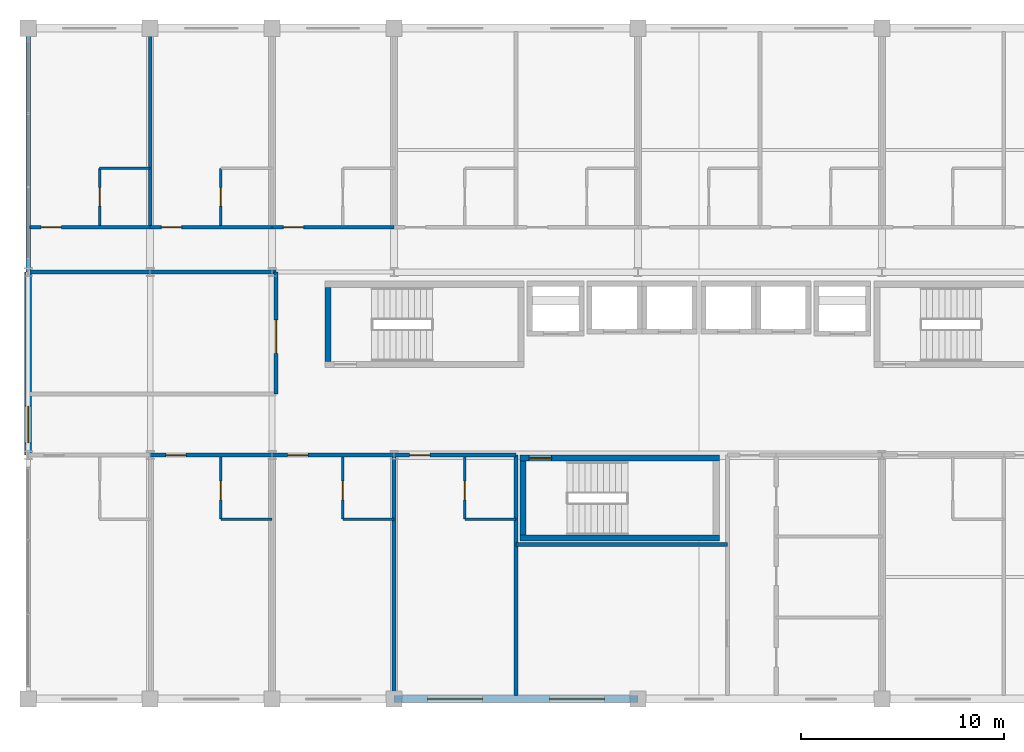
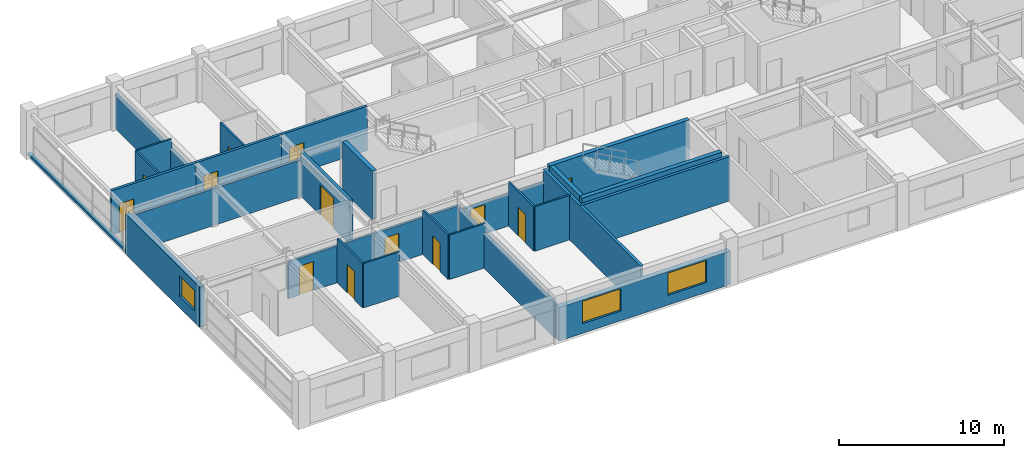
# One storey, part 21 of 27: 28 walls, 13 doors, 3 windows, 16 openings.
"""IFC4 building model written with IfcOpenShell, lengths in metres."""

from ifc_helpers import new_model, si_unit, direction, frame, frame_2d, origin, place, context, subcontext, project, spatial, rectangle, extrude, material, layer, layer_set, type_object, element, fill, save


model = new_model("IFC4")

# Units and contexts
model_context = context("Model", 3, precision=1e-05, world=origin(), true_north=direction((0.0, 1.0)))
body_context = subcontext(model_context, "Body", "Model", "MODEL_VIEW")
ifc_project = project(units=[si_unit("LENGTHUNIT", "METRE"), si_unit("AREAUNIT", "SQUARE_METRE"), si_unit("VOLUMEUNIT", "CUBIC_METRE"), si_unit("PLANEANGLEUNIT", "RADIAN"), si_unit("MASSUNIT", "GRAM", prefix="KILO")], contexts=[model_context])

# Site, building, storey
site_placement = place(None, origin())
site = spatial("IfcSite", under=ifc_project, at=site_placement, CompositionType="ELEMENT")
building_placement = place(site_placement, origin())
building = spatial("IfcBuilding", under=site, at=building_placement, Name="Kaldorvane Square Convention Centre", CompositionType="ELEMENT")
storey_placement = place(building_placement, frame((0.0, 0.0, 38.399993896484375)))
storey = spatial("IfcBuildingStorey", under=building, at=storey_placement, Name="L08", CompositionType="ELEMENT", Elevation=38.399993896484375)

# Wall, opening, door
ifc_material_1 = material(Name="Fire-Rated Gypsum Board on Acoustic Steel Studs", Category="steel")
ifc_layer_1 = layer(ifc_material_1, 0.125)
ifc_layer_set_1 = layer_set([ifc_layer_1], Name="Fire-Rated Gypsum Board on Acoustic Steel Studs")
wall_type_1 = type_object("IfcWallType", Name="WL-BATH-125", PredefinedType="PARTITIONING", material=ifc_layer_set_1)
wall_1_placement = place(storey_placement, frame((27.520004272460938, 107.28999328613281, 0.0), z_axis=(0.0, 0.0, 1.0), x_axis=(0.0, 1.0, 0.0)))
wall_1 = element("IfcWall", 1, at=wall_1_placement, inside=storey, type_object=wall_type_1, Name="En-Suite 801 West Wall", PredefinedType="PARTITIONING", context=body_context, shape_type="SweptSolid", body=[
    extrude(rectangle(XDim=2.8100128173828125, YDim=0.125, at=frame_2d((1.404998779296875, 0.0))), origin(), (0.0, 0.0, 1.0), 3.290008544921875),
])
opening_1_placement = place(wall_1_placement, frame((0.9499969482421875, 0.0, 0.0)))
opening_1 = element("IfcOpeningElement", 2, at=opening_1_placement, cuts=wall_1, Name="Opening ID-12", PredefinedType="OPENING", context=body_context, shape_type="SweptSolid", body=[
    extrude(rectangle(XDim=0.9199981689453125, YDim=2.100006103515625, at=frame_2d((0.459991455078125, 1.0500030517578125))), frame((0.0, 0.0774993896484375, 0.0), z_axis=(0.0, -1.0, 0.0), x_axis=(1.0, 0.0, 0.0)), (0.0, 0.0, 1.0), 0.154998779296875),
])
ifc_material_2 = material(Name="Architectural Solid-Core White Oak")
door_type_1 = type_object("IfcDoorType", Name="DR-BATH-0920X2100", OperationType="SINGLE_SWING_RIGHT", PredefinedType="DOOR", material=ifc_material_2)
door_1_placement = place(opening_1_placement, origin())
door_1 = element("IfcDoor", 3, at=door_1_placement, inside=storey, type_object=door_type_1, Name="En-Suite Bathroom 801 Door", OperationType="SINGLE_SWING_RIGHT", OverallHeight=2.100006103515625, OverallWidth=0.9199981689453125, PredefinedType="DOOR", context=body_context, shape_type="SweptSolid", body=[
    extrude(rectangle(XDim=0.9199981689453125, YDim=2.100006103515625, at=frame_2d((0.459991455078125, 1.0500030517578125))), frame((0.0, 0.024993896484375, 0.0), z_axis=(0.0, -1.0, 0.0), x_axis=(1.0, 0.0, 0.0)), (0.0, 0.0, 1.0), 0.0500030517578125),
])
fill(opening_1, door_1)

# Wall
wall_2_placement = place(storey_placement, frame((27.520004272460938, 110.10000610351562, 0.0), z_axis=(0.0, 0.0, 1.0), x_axis=(1.0, 0.0, 0.0)))
element("IfcWall", 4, at=wall_2_placement, inside=storey, type_object=wall_type_1, Name="En-Suite 801 North Wall", PredefinedType="PARTITIONING", context=body_context, shape_type="SweptSolid", body=[
    extrude(rectangle(XDim=2.4799957275390625, YDim=0.125, at=frame_2d((1.239990234375, 0.0))), origin(), (0.0, 0.0, 1.0), 3.290008544921875),
])

# Wall, opening, door
wall_3_placement = place(storey_placement, frame((33.47999572753906, 107.28999328613281, 0.0), z_axis=(0.0, 0.0, 1.0), x_axis=(0.0, 1.0, 0.0)))
wall_3 = element("IfcWall", 5, at=wall_3_placement, inside=storey, type_object=wall_type_1, Name="En-Suite 802 West Wall", PredefinedType="PARTITIONING", context=body_context, shape_type="SweptSolid", body=[
    extrude(rectangle(XDim=2.8100128173828125, YDim=0.125, at=frame_2d((1.404998779296875, 0.0))), origin(), (0.0, 0.0, 1.0), 3.290008544921875),
])
opening_2_placement = place(wall_3_placement, frame((0.9499969482421875, 0.0, 0.0)))
opening_2 = element("IfcOpeningElement", 6, at=opening_2_placement, cuts=wall_3, Name="Opening ID-12", PredefinedType="OPENING", context=body_context, shape_type="SweptSolid", body=[
    extrude(rectangle(XDim=0.9199981689453125, YDim=2.100006103515625, at=frame_2d((0.459991455078125, 1.0500030517578125))), frame((0.0, 0.0774993896484375, 0.0), z_axis=(0.0, -1.0, 0.0), x_axis=(1.0, 0.0, 0.0)), (0.0, 0.0, 1.0), 0.154998779296875),
])
door_2_placement = place(opening_2_placement, origin())
door_2 = element("IfcDoor", 7, at=door_2_placement, inside=storey, type_object=door_type_1, Name="En-Suite Bathroom 802 Door", OperationType="SINGLE_SWING_RIGHT", OverallHeight=2.100006103515625, OverallWidth=0.9199981689453125, PredefinedType="DOOR", context=body_context, shape_type="SweptSolid", body=[
    extrude(rectangle(XDim=0.9199981689453125, YDim=2.100006103515625, at=frame_2d((0.459991455078125, 1.0500030517578125))), frame((0.0, 0.024993896484375, 0.0), z_axis=(0.0, -1.0, 0.0), x_axis=(1.0, 0.0, 0.0)), (0.0, 0.0, 1.0), 0.0500030517578125),
])
fill(opening_2, door_2)

wall_4_placement = place(storey_placement, frame((33.47999572753906, 92.85000610351562, 0.0), z_axis=(0.0, 0.0, 1.0), x_axis=(0.0, 1.0, 0.0)))
wall_4 = element("IfcWall", 8, at=wall_4_placement, inside=storey, type_object=wall_type_1, Name="En-Suite 812 West Wall", PredefinedType="PARTITIONING", context=body_context, shape_type="SweptSolid", body=[
    extrude(rectangle(XDim=3.05999755859375, YDim=0.125, at=frame_2d((1.529998779296875, 0.0))), origin(), (0.0, 0.0, 1.0), 3.290008544921875),
])
opening_3_placement = place(wall_4_placement, frame((0.9499969482421875, 0.0, 0.0)))
opening_3 = element("IfcOpeningElement", 9, at=opening_3_placement, cuts=wall_4, Name="Opening ID-12", PredefinedType="OPENING", context=body_context, shape_type="SweptSolid", body=[
    extrude(rectangle(XDim=0.9199981689453125, YDim=2.100006103515625, at=frame_2d((0.459991455078125, 1.0500030517578125))), frame((0.0, 0.0774993896484375, 0.0), z_axis=(0.0, -1.0, 0.0), x_axis=(1.0, 0.0, 0.0)), (0.0, 0.0, 1.0), 0.154998779296875),
])
door_3_placement = place(opening_3_placement, origin())
door_3 = element("IfcDoor", 10, at=door_3_placement, inside=storey, type_object=door_type_1, Name="En-Suite Bathroom 812 Door", OperationType="SINGLE_SWING_RIGHT", OverallHeight=2.100006103515625, OverallWidth=0.9199981689453125, PredefinedType="DOOR", context=body_context, shape_type="SweptSolid", body=[
    extrude(rectangle(XDim=0.9199981689453125, YDim=2.100006103515625, at=frame_2d((0.459991455078125, 1.0500030517578125))), frame((0.0, 0.024993896484375, 0.0), z_axis=(0.0, -1.0, 0.0), x_axis=(1.0, 0.0, 0.0)), (0.0, 0.0, 1.0), 0.0500030517578125),
])
fill(opening_3, door_3)

# Wall
wall_5_placement = place(storey_placement, frame((33.47999572753906, 92.85000610351562, 0.0), z_axis=(0.0, 0.0, 1.0), x_axis=(1.0, 0.0, 0.0)))
element("IfcWall", 11, at=wall_5_placement, inside=storey, type_object=wall_type_1, Name="En-Suite 812 South Wall", PredefinedType="PARTITIONING", context=body_context, shape_type="SweptSolid", body=[
    extrude(rectangle(XDim=2.5200042724609375, YDim=0.125, at=frame_2d((1.260009765625, 0.0))), origin(), (0.0, 0.0, 1.0), 3.290008544921875),
])

# Wall, opening, door
wall_6_placement = place(storey_placement, frame((39.47999572753906, 92.85000610351562, 0.0), z_axis=(0.0, 0.0, 1.0), x_axis=(0.0, 1.0, 0.0)))
wall_6 = element("IfcWall", 12, at=wall_6_placement, inside=storey, type_object=wall_type_1, Name="En-Suite 813 West Wall", PredefinedType="PARTITIONING", context=body_context, shape_type="SweptSolid", body=[
    extrude(rectangle(XDim=3.05999755859375, YDim=0.125, at=frame_2d((1.529998779296875, 0.0))), origin(), (0.0, 0.0, 1.0), 3.290008544921875),
])
opening_4_placement = place(wall_6_placement, frame((0.9499969482421875, 0.0, 0.0)))
opening_4 = element("IfcOpeningElement", 13, at=opening_4_placement, cuts=wall_6, Name="Opening ID-12", PredefinedType="OPENING", context=body_context, shape_type="SweptSolid", body=[
    extrude(rectangle(XDim=0.9199981689453125, YDim=2.100006103515625, at=frame_2d((0.459991455078125, 1.0500030517578125))), frame((0.0, 0.0774993896484375, 0.0), z_axis=(0.0, -1.0, 0.0), x_axis=(1.0, 0.0, 0.0)), (0.0, 0.0, 1.0), 0.154998779296875),
])
door_4_placement = place(opening_4_placement, origin())
door_4 = element("IfcDoor", 14, at=door_4_placement, inside=storey, type_object=door_type_1, Name="En-Suite Bathroom 813 Door", OperationType="SINGLE_SWING_RIGHT", OverallHeight=2.100006103515625, OverallWidth=0.9199981689453125, PredefinedType="DOOR", context=body_context, shape_type="SweptSolid", body=[
    extrude(rectangle(XDim=0.9199981689453125, YDim=2.100006103515625, at=frame_2d((0.459991455078125, 1.0500030517578125))), frame((0.0, 0.024993896484375, 0.0), z_axis=(0.0, -1.0, 0.0), x_axis=(1.0, 0.0, 0.0)), (0.0, 0.0, 1.0), 0.0500030517578125),
])
fill(opening_4, door_4)

# Wall
wall_7_placement = place(storey_placement, frame((39.47999572753906, 92.85000610351562, 0.0), z_axis=(0.0, 0.0, 1.0), x_axis=(1.0, 0.0, 0.0)))
element("IfcWall", 15, at=wall_7_placement, inside=storey, type_object=wall_type_1, Name="En-Suite 813 South Wall", PredefinedType="PARTITIONING", context=body_context, shape_type="SweptSolid", body=[
    extrude(rectangle(XDim=2.5200042724609375, YDim=0.125, at=frame_2d((1.260009765625, 0.0))), origin(), (0.0, 0.0, 1.0), 3.290008544921875),
])

# Wall, opening, door
wall_8_placement = place(storey_placement, frame((45.47999572753906, 92.85000610351562, 0.0), z_axis=(0.0, 0.0, 1.0), x_axis=(0.0, 1.0, 0.0)))
wall_8 = element("IfcWall", 16, at=wall_8_placement, inside=storey, type_object=wall_type_1, Name="En-Suite 814 West Wall", PredefinedType="PARTITIONING", context=body_context, shape_type="SweptSolid", body=[
    extrude(rectangle(XDim=3.05999755859375, YDim=0.125, at=frame_2d((1.529998779296875, 0.0))), origin(), (0.0, 0.0, 1.0), 3.290008544921875),
])
opening_5_placement = place(wall_8_placement, frame((0.9499969482421875, 0.0, 0.0)))
opening_5 = element("IfcOpeningElement", 17, at=opening_5_placement, cuts=wall_8, Name="Opening ID-12", PredefinedType="OPENING", context=body_context, shape_type="SweptSolid", body=[
    extrude(rectangle(XDim=0.9199981689453125, YDim=2.100006103515625, at=frame_2d((0.459991455078125, 1.0500030517578125))), frame((0.0, 0.0774993896484375, 0.0), z_axis=(0.0, -1.0, 0.0), x_axis=(1.0, 0.0, 0.0)), (0.0, 0.0, 1.0), 0.154998779296875),
])
door_5_placement = place(opening_5_placement, origin())
door_5 = element("IfcDoor", 18, at=door_5_placement, inside=storey, type_object=door_type_1, Name="En-Suite Bathroom 814 Door", OperationType="SINGLE_SWING_RIGHT", OverallHeight=2.100006103515625, OverallWidth=0.9199981689453125, PredefinedType="DOOR", context=body_context, shape_type="SweptSolid", body=[
    extrude(rectangle(XDim=0.9199981689453125, YDim=2.100006103515625, at=frame_2d((0.459991455078125, 1.0500030517578125))), frame((0.0, 0.024993896484375, 0.0), z_axis=(0.0, -1.0, 0.0), x_axis=(1.0, 0.0, 0.0)), (0.0, 0.0, 1.0), 0.0500030517578125),
])
fill(opening_5, door_5)

# Walls
wall_9_placement = place(storey_placement, frame((45.47999572753906, 92.85000610351562, 0.0), z_axis=(0.0, 0.0, 1.0), x_axis=(1.0, 0.0, 0.0)))
element("IfcWall", 19, at=wall_9_placement, inside=storey, type_object=wall_type_1, Name="En-Suite 814 South Wall", PredefinedType="PARTITIONING", context=body_context, shape_type="SweptSolid", body=[
    extrude(rectangle(XDim=2.5200042724609375, YDim=0.125, at=frame_2d((1.260009765625, 0.0))), origin(), (0.0, 0.0, 1.0), 3.290008544921875),
])
ifc_layer_2 = layer(ifc_material_1, 0.1999969482421875)
ifc_layer_set_2 = layer_set([ifc_layer_2], Name="Fire-Rated Gypsum Board on Acoustic Steel Studs")
wall_type_2 = type_object("IfcWallType", Name="WL-CORR-200", PredefinedType="PARTITIONING", material=ifc_layer_set_2)
wall_10_placement = place(storey_placement, frame((48.0, 91.60000610351562, 0.0), z_axis=(0.0, 0.0, 1.0), x_axis=(1.0, 0.0, 0.0)))
element("IfcWall", 20, at=wall_10_placement, inside=storey, type_object=wall_type_2, Name="Housekeeping North Wall (L08)", PredefinedType="PARTITIONING", context=body_context, shape_type="SweptSolid", body=[
    extrude(rectangle(XDim=10.399993896484375, YDim=0.1999969482421875, at=frame_2d((5.1999969482421875, 0.0))), origin(), (0.0, 0.0, 1.0), 3.290008544921875),
])
wall_11_placement = place(storey_placement, frame((48.0, 84.17500305175781, 0.0), z_axis=(0.0, 0.0, 1.0), x_axis=(0.0, 1.0, 0.0)))
element("IfcWall", 21, at=wall_11_placement, inside=storey, type_object=wall_type_2, Name="Service Block West Wall (L08)", PredefinedType="PARTITIONING", context=body_context, shape_type="SweptSolid", body=[
    extrude(rectangle(XDim=11.824996948242188, YDim=0.1999969482421875, at=frame_2d((5.912506103515625, 0.0))), origin(), (0.0, 0.0, 1.0), 3.290008544921875),
])

# Wall, opening, door
wall_12_placement = place(storey_placement, frame((36.19999694824219, 99.0, 0.0), z_axis=(0.0, 0.0, 1.0), x_axis=(0.0, 1.0, 0.0)))
wall_12 = element("IfcWall", 22, at=wall_12_placement, inside=storey, type_object=wall_type_2, Name="West Sunset Sitting Alcove (L08) E Wall", PredefinedType="PARTITIONING", context=body_context, shape_type="SweptSolid", body=[
    extrude(rectangle(XDim=6.0, YDim=0.1999969482421875, at=frame_2d((3.0, 0.0))), origin(), (0.0, 0.0, 1.0), 3.290008544921875),
])
opening_6_placement = place(wall_12_placement, frame((2.0, 0.0, 0.0)))
opening_6 = element("IfcOpeningElement", 23, at=opening_6_placement, cuts=wall_12, Name="Opening ID-16", PredefinedType="OPENING", context=body_context, shape_type="SweptSolid", body=[
    extrude(rectangle(XDim=1.649993896484375, YDim=2.25, at=frame_2d((0.8249969482421875, 1.125))), frame((0.0, 0.114990234375, 0.0), z_axis=(0.0, -1.0, 0.0), x_axis=(1.0, 0.0, 0.0)), (0.0, 0.0, 1.0), 0.2299957275390625),
])
ifc_material_3 = material(Name="Acoustic Laminated Glass in Aluminum Frame", Category="aluminium")
door_type_2 = type_object("IfcDoorType", Name="DR-GL-1650X2250", OperationType="DOUBLE_DOOR_SINGLE_SWING", PredefinedType="DOOR", material=ifc_material_3)
door_6_placement = place(opening_6_placement, origin())
door_6 = element("IfcDoor", 24, at=door_6_placement, inside=storey, type_object=door_type_2, Name="West Sunset Sitting Alcove (L08) Door 1", OperationType="DOUBLE_DOOR_SINGLE_SWING", OverallHeight=2.25, OverallWidth=1.649993896484375, PredefinedType="DOOR", context=body_context, shape_type="SweptSolid", body=[
    extrude(rectangle(XDim=1.649993896484375, YDim=2.25, at=frame_2d((0.8249969482421875, 1.125))), frame((0.0, 0.024993896484375, 0.0), z_axis=(0.0, -1.0, 0.0), x_axis=(1.0, 0.0, 0.0)), (0.0, 0.0, 1.0), 0.0500030517578125),
])
fill(opening_6, door_6)

# Wall
wall_13_placement = place(storey_placement, frame((36.19999694824219, 105.0, 0.0), z_axis=(0.0, 0.0, 1.0), x_axis=(-1.0, 0.0, 0.0)))
element("IfcWall", 25, at=wall_13_placement, inside=storey, type_object=wall_type_2, Name="West Sunset Sitting Alcove (L08) N Wall", PredefinedType="PARTITIONING", context=body_context, shape_type="SweptSolid", body=[
    extrude(rectangle(XDim=12.114990234375, YDim=0.1999969482421875, at=frame_2d((6.0574951171875, 0.0))), origin(), (0.0, 0.0, 1.0), 2.7360076904296875),
])

# Wall, openings, windows
ifc_material_4 = material(Name="Concrete f'c = 42 MPa (Normalweight)", Category="concrete")
ifc_layer_3 = layer(ifc_material_4, 0.350006103515625)
ifc_layer_set_3 = layer_set([ifc_layer_3], Name="Concrete f'c = 42 MPa (Normalweight)")
wall_type_3 = type_object("IfcWallType", Name="WL-EXT-350", PredefinedType="STANDARD", material=ifc_layer_set_3)
wall_14_placement = place(storey_placement, frame((42.0, 84.0, 0.0), z_axis=(0.0, 0.0, 1.0), x_axis=(1.0, 0.0, 0.0)))
wall_14 = element("IfcWall", 26, at=wall_14_placement, inside=storey, type_object=wall_type_3, Name="Hotel S Brutalist Facade Wall (L08)", PredefinedType="STANDARD", context=body_context, shape_type="SweptSolid", body=[
    extrude(rectangle(XDim=12.0, YDim=0.350006103515625, at=frame_2d((6.0, 0.0))), origin(), (0.0, 0.0, 1.0), 2.4860076904296875),
])
opening_7_placement = place(wall_14_placement, frame((1.649993896484375, 0.0, 0.720001220703125)))
opening_7 = element("IfcOpeningElement", 27, at=opening_7_placement, cuts=wall_14, Name="Opening W-03", PredefinedType="OPENING", context=body_context, shape_type="SweptSolid", body=[
    extrude(rectangle(XDim=2.6999969482421875, YDim=1.649993896484375, at=frame_2d((1.350006103515625, 0.8249969482421875))), frame((0.0, 0.19000244140625, 0.0), z_axis=(0.0, -1.0, 0.0), x_axis=(1.0, 0.0, 0.0)), (0.0, 0.0, 1.0), 0.3800048828125),
])
opening_8_placement = place(wall_14_placement, frame((7.649993896484375, 0.0, 0.720001220703125)))
opening_8 = element("IfcOpeningElement", 28, at=opening_8_placement, cuts=wall_14, Name="Opening W-03", PredefinedType="OPENING", context=body_context, shape_type="SweptSolid", body=[
    extrude(rectangle(XDim=2.6999969482421875, YDim=1.649993896484375, at=frame_2d((1.350006103515625, 0.8249969482421875))), frame((0.0, 0.19000244140625, 0.0), z_axis=(0.0, -1.0, 0.0), x_axis=(1.0, 0.0, 0.0)), (0.0, 0.0, 1.0), 0.3800048828125),
])
ifc_material_5 = material(Name="Anodized Aluminum and Low-E Insulated Glazing", Category="aluminium")
window_type_1 = type_object("IfcWindowType", Name="WN-HTL-2700X1650", PartitioningType="TRIPLE_PANEL_VERTICAL", PredefinedType="WINDOW", material=ifc_material_5)
window_1_placement = place(opening_7_placement, origin())
window_1 = element("IfcWindow", 29, at=window_1_placement, inside=storey, type_object=window_type_1, Name="Hotel S Window (L08)", OverallHeight=1.649993896484375, OverallWidth=2.6999969482421875, PartitioningType="TRIPLE_PANEL_VERTICAL", PredefinedType="WINDOW", context=body_context, shape_type="SweptSolid", body=[
    extrude(rectangle(XDim=2.6999969482421875, YDim=1.649993896484375, at=frame_2d((1.350006103515625, 0.8249969482421875))), frame((0.0, 0.029998779296875, 0.0), z_axis=(0.0, -1.0, 0.0), x_axis=(1.0, 0.0, 0.0)), (0.0, 0.0, 1.0), 0.05999755859375),
])
fill(opening_7, window_1)
window_2_placement = place(opening_8_placement, origin())
window_2 = element("IfcWindow", 30, at=window_2_placement, inside=storey, type_object=window_type_1, Name="Hotel S Window (L08)", OverallHeight=1.649993896484375, OverallWidth=2.6999969482421875, PartitioningType="TRIPLE_PANEL_VERTICAL", PredefinedType="WINDOW", context=body_context, shape_type="SweptSolid", body=[
    extrude(rectangle(XDim=2.6999969482421875, YDim=1.649993896484375, at=frame_2d((1.350006103515625, 0.8249969482421875))), frame((0.0, 0.029998779296875, 0.0), z_axis=(0.0, -1.0, 0.0), x_axis=(1.0, 0.0, 0.0)), (0.0, 0.0, 1.0), 0.05999755859375),
])
fill(opening_8, window_2)

# Wall, opening, window
wall_15_placement = place(storey_placement, frame((24.0, 105.0, 0.0), z_axis=(0.0, 0.0, 1.0), x_axis=(0.0, -1.0, 0.0)))
wall_15 = element("IfcWall", 31, at=wall_15_placement, inside=storey, type_object=wall_type_3, Name="Hotel W End Wall (L08)", PredefinedType="STANDARD", context=body_context, shape_type="SweptSolid", body=[
    extrude(rectangle(XDim=9.0, YDim=0.350006103515625, at=frame_2d((4.5, 0.0))), origin(), (0.0, 0.0, 1.0), 2.9810028076171875),
])
opening_9_placement = place(wall_15_placement, frame((6.600006103515625, 0.0, 0.850006103515625)))
opening_9 = element("IfcOpeningElement", 32, at=opening_9_placement, cuts=wall_15, Name="Opening W-11", PredefinedType="OPENING", context=body_context, shape_type="SweptSolid", body=[
    extrude(rectangle(XDim=1.8000030517578125, YDim=1.5, at=frame_2d((0.899993896484375, 0.75))), frame((0.0, 0.19000244140625, 0.0), z_axis=(0.0, -1.0, 0.0), x_axis=(1.0, 0.0, 0.0)), (0.0, 0.0, 1.0), 0.3800048828125),
])
window_type_2 = type_object("IfcWindowType", Name="WN-HTL-1800X1500", PartitioningType="SINGLE_PANEL", PredefinedType="WINDOW", material=ifc_material_5)
window_3_placement = place(opening_9_placement, origin())
window_3 = element("IfcWindow", 33, at=window_3_placement, inside=storey, type_object=window_type_2, Name="Hotel End Window W (L08)", OverallHeight=1.5, OverallWidth=1.8000030517578125, PartitioningType="SINGLE_PANEL", PredefinedType="WINDOW", context=body_context, shape_type="SweptSolid", body=[
    extrude(rectangle(XDim=1.8000030517578125, YDim=1.5, at=frame_2d((0.899993896484375, 0.75))), frame((0.0, 0.029998779296875, 0.0), z_axis=(0.0, -1.0, 0.0), x_axis=(1.0, 0.0, 0.0)), (0.0, 0.0, 1.0), 0.05999755859375),
])
fill(opening_9, window_3)

# Walls
ifc_material_6 = material(Name="Concrete f'c = 35 MPa (Normalweight)", Category="concrete")
ifc_layer_4 = layer(ifc_material_6, 0.220001220703125)
ifc_layer_set_4 = layer_set([ifc_layer_4], Name="Concrete f'c = 35 MPa (Normalweight)")
wall_type_4 = type_object("IfcWallType", Name="WL-PAR-220", PredefinedType="PARAPET", material=ifc_layer_set_4)
wall_16_placement = place(storey_placement, frame((24.0, 117.0, 0.0), z_axis=(0.0, 0.0, 1.0), x_axis=(0.0, -1.0, 0.0)))
element("IfcWall", 34, at=wall_16_placement, inside=storey, type_object=wall_type_4, Name="Hotel End Curtain-Wall Sill (L08)", PredefinedType="PARAPET", context=body_context, shape_type="SweptSolid", body=[
    extrude(rectangle(XDim=12.0, YDim=0.220001220703125, at=frame_2d((6.0, 0.0))), origin(), (0.0, 0.0, 1.0), 0.20001220703125),
])
ifc_material_7 = material(Name="Concrete f'c = 55 MPa (Normalweight)", Category="concrete")
ifc_layer_5 = layer(ifc_material_7, 0.3000030517578125)
ifc_layer_set_5 = layer_set([ifc_layer_5], Name="Concrete f'c = 55 MPa (Normalweight)")
wall_type_5 = type_object("IfcWallType", Name="WL-SHAFT-300", PredefinedType="SHEAR", material=ifc_layer_set_5)
wall_17_placement = place(storey_placement, frame((38.75, 104.25, 0.0), z_axis=(0.0, 0.0, 1.0), x_axis=(0.0, -1.0, 0.0)))
element("IfcWall", 35, at=wall_17_placement, inside=storey, type_object=wall_type_5, Name="Core Enclosure Wall stair:ST-T1-W (L08)", PredefinedType="SHEAR", context=body_context, shape_type="SweptSolid", body=[
    extrude(rectangle(XDim=3.6399993896484375, YDim=0.3000030517578125, at=frame_2d((1.82000732421875, 0.0))), origin(), (0.0, 0.0, 1.0), 3.600006103515625),
])
wall_18_placement = place(storey_placement, frame((48.19999694824219, 91.91000366210938, 0.0), z_axis=(0.0, 0.0, 1.0), x_axis=(1.0, 0.0, 0.0)))
element("IfcWall", 36, at=wall_18_placement, inside=storey, type_object=wall_type_5, Name="Core Enclosure Wall stair:ST-T3-S (L08)", PredefinedType="SHEAR", context=body_context, shape_type="SweptSolid", body=[
    extrude(rectangle(XDim=9.800003051757812, YDim=0.3000030517578125, at=frame_2d((4.899993896484375, 0.0))), origin(), (0.0, 0.0, 1.0), 3.600006103515625),
])

# Wall, opening, door
wall_19_placement = place(storey_placement, frame((58.0, 95.85000610351562, 0.0), z_axis=(0.0, 0.0, 1.0), x_axis=(-1.0, 0.0, 0.0)))
wall_19 = element("IfcWall", 37, at=wall_19_placement, inside=storey, type_object=wall_type_5, Name="Core Enclosure Wall stair:ST-T3-N (L08)", PredefinedType="SHEAR", context=body_context, shape_type="SweptSolid", body=[
    extrude(rectangle(XDim=9.800003051757812, YDim=0.3000030517578125, at=frame_2d((4.899993896484375, 0.0))), origin(), (0.0, 0.0, 1.0), 3.600006103515625),
])
opening_10_placement = place(wall_19_placement, frame((8.25, 0.0, 0.0)))
opening_10 = element("IfcOpeningElement", 38, at=opening_10_placement, cuts=wall_19, Name="Opening FD90-S1", PredefinedType="OPENING", context=body_context, shape_type="SweptSolid", body=[
    extrude(rectangle(XDim=1.100006103515625, YDim=2.1999969482421875, at=frame_2d((0.5500030517578125, 1.100006103515625))), frame((0.0, 0.165008544921875, 0.0), z_axis=(0.0, -1.0, 0.0), x_axis=(1.0, 0.0, 0.0)), (0.0, 0.0, 1.0), 0.3300018310546875),
])
ifc_material_8 = material(Name="Fire-Rated Hollow Metal Steel", Category="steel")
door_type_3 = type_object("IfcDoorType", Name="DR-STAIR-1100", OperationType="SINGLE_SWING_RIGHT", PredefinedType="DOOR", material=ifc_material_8)
door_7_placement = place(opening_10_placement, origin())
door_7 = element("IfcDoor", 39, at=door_7_placement, inside=storey, type_object=door_type_3, Name="Tower Exit Stair T3 Fire Door (L08)", OperationType="SINGLE_SWING_RIGHT", OverallHeight=2.1999969482421875, OverallWidth=1.100006103515625, PredefinedType="DOOR", context=body_context, shape_type="SweptSolid", body=[
    extrude(rectangle(XDim=1.100006103515625, YDim=2.1999969482421875, at=frame_2d((0.5500030517578125, 1.100006103515625))), frame((0.0, 0.024993896484375, 0.0), z_axis=(0.0, -1.0, 0.0), x_axis=(1.0, 0.0, 0.0)), (0.0, 0.0, 1.0), 0.0500030517578125),
])
fill(opening_10, door_7)

# Wall
wall_20_placement = place(storey_placement, frame((48.350006103515625, 95.69999694824219, 0.0), z_axis=(0.0, 0.0, 1.0), x_axis=(0.0, -1.0, 0.0)))
element("IfcWall", 40, at=wall_20_placement, inside=storey, type_object=wall_type_5, Name="Core Enclosure Wall stair:ST-T3-W (L08)", PredefinedType="SHEAR", context=body_context, shape_type="SweptSolid", body=[
    extrude(rectangle(XDim=3.6399993896484375, YDim=0.3000030517578125, at=frame_2d((1.82000732421875, 0.0))), origin(), (0.0, 0.0, 1.0), 3.600006103515625),
])

# Wall, opening, door
ifc_layer_6 = layer(ifc_material_1, 0.17999267578125)
ifc_layer_set_6 = layer_set([ifc_layer_6], Name="Fire-Rated Gypsum Board on Acoustic Steel Studs")
wall_type_6 = type_object("IfcWallType", Name="WL-UNIT-180", PredefinedType="PARTITIONING", material=ifc_layer_set_6)
wall_21_placement = place(storey_placement, frame((24.085006713867188, 107.19999694824219, 0.0), z_axis=(0.0, 0.0, 1.0), x_axis=(1.0, 0.0, 0.0)))
wall_21 = element("IfcWall", 41, at=wall_21_placement, inside=storey, type_object=wall_type_6, Name="Hotel Guest Room 801 Corridor Wall", PredefinedType="PARTITIONING", context=body_context, shape_type="SweptSolid", body=[
    extrude(rectangle(XDim=5.9149932861328125, YDim=0.17999267578125, at=frame_2d((2.957489013671875, 0.0))), origin(), (0.0, 0.0, 1.0), 3.290008544921875),
])
opening_11_placement = place(wall_21_placement, frame((0.5500030517578125, 0.0, 0.0)))
opening_11 = element("IfcOpeningElement", 42, at=opening_11_placement, cuts=wall_21, Name="Opening ID-10", PredefinedType="OPENING", context=body_context, shape_type="SweptSolid", body=[
    extrude(rectangle(XDim=1.0, YDim=2.149993896484375, at=frame_2d((0.5, 1.0749969482421875))), frame((0.0, 0.1049957275390625, 0.0), z_axis=(0.0, -1.0, 0.0), x_axis=(1.0, 0.0, 0.0)), (0.0, 0.0, 1.0), 0.209991455078125),
])
door_type_4 = type_object("IfcDoorType", Name="DR-GUEST-1000X2150", OperationType="SINGLE_SWING_LEFT", PredefinedType="DOOR", material=ifc_material_2)
door_8_placement = place(opening_11_placement, origin())
door_8 = element("IfcDoor", 43, at=door_8_placement, inside=storey, type_object=door_type_4, Name="Hotel Guest Room 801 Entry Door", OperationType="SINGLE_SWING_LEFT", OverallHeight=2.149993896484375, OverallWidth=1.0, PredefinedType="DOOR", context=body_context, shape_type="SweptSolid", body=[
    extrude(rectangle(XDim=1.0, YDim=2.149993896484375, at=frame_2d((0.5, 1.0749969482421875))), frame((0.0, 0.024993896484375, 0.0), z_axis=(0.0, -1.0, 0.0), x_axis=(1.0, 0.0, 0.0)), (0.0, 0.0, 1.0), 0.0500030517578125),
])
fill(opening_11, door_8)

# Wall
wall_22_placement = place(storey_placement, frame((30.0, 107.19999694824219, 0.0), z_axis=(0.0, 0.0, 1.0), x_axis=(0.0, 1.0, 0.0)))
element("IfcWall", 44, at=wall_22_placement, inside=storey, type_object=wall_type_6, Name="Guestroom Demising Wall 801", PredefinedType="PARTITIONING", context=body_context, shape_type="SweptSolid", body=[
    extrude(rectangle(XDim=9.625, YDim=0.17999267578125, at=frame_2d((4.8125, 0.0))), origin(), (0.0, 0.0, 1.0), 2.5900115966796875),
])

# Wall, opening, door
wall_23_placement = place(storey_placement, frame((30.0, 107.19999694824219, 0.0), z_axis=(0.0, 0.0, 1.0), x_axis=(1.0, 0.0, 0.0)))
wall_23 = element("IfcWall", 45, at=wall_23_placement, inside=storey, type_object=wall_type_6, Name="Hotel Guest Room 802 Corridor Wall", PredefinedType="PARTITIONING", context=body_context, shape_type="SweptSolid", body=[
    extrude(rectangle(XDim=6.0, YDim=0.17999267578125, at=frame_2d((3.0, 0.0))), origin(), (0.0, 0.0, 1.0), 3.290008544921875),
])
opening_12_placement = place(wall_23_placement, frame((0.5500030517578125, 0.0, 0.0)))
opening_12 = element("IfcOpeningElement", 46, at=opening_12_placement, cuts=wall_23, Name="Opening ID-10", PredefinedType="OPENING", context=body_context, shape_type="SweptSolid", body=[
    extrude(rectangle(XDim=1.0, YDim=2.149993896484375, at=frame_2d((0.5, 1.0749969482421875))), frame((0.0, 0.1049957275390625, 0.0), z_axis=(0.0, -1.0, 0.0), x_axis=(1.0, 0.0, 0.0)), (0.0, 0.0, 1.0), 0.209991455078125),
])
door_9_placement = place(opening_12_placement, origin())
door_9 = element("IfcDoor", 47, at=door_9_placement, inside=storey, type_object=door_type_4, Name="Hotel Guest Room 802 Entry Door", OperationType="SINGLE_SWING_LEFT", OverallHeight=2.149993896484375, OverallWidth=1.0, PredefinedType="DOOR", context=body_context, shape_type="SweptSolid", body=[
    extrude(rectangle(XDim=1.0, YDim=2.149993896484375, at=frame_2d((0.5, 1.0749969482421875))), frame((0.0, 0.024993896484375, 0.0), z_axis=(0.0, -1.0, 0.0), x_axis=(1.0, 0.0, 0.0)), (0.0, 0.0, 1.0), 0.0500030517578125),
])
fill(opening_12, door_9)

wall_24_placement = place(storey_placement, frame((36.0, 107.19999694824219, 0.0), z_axis=(0.0, 0.0, 1.0), x_axis=(1.0, 0.0, 0.0)))
wall_24 = element("IfcWall", 48, at=wall_24_placement, inside=storey, type_object=wall_type_6, Name="Hotel Guest Room 803 Corridor Wall", PredefinedType="PARTITIONING", context=body_context, shape_type="SweptSolid", body=[
    extrude(rectangle(XDim=6.0, YDim=0.17999267578125, at=frame_2d((3.0, 0.0))), origin(), (0.0, 0.0, 1.0), 3.290008544921875),
])
opening_13_placement = place(wall_24_placement, frame((0.5500030517578125, 0.0, 0.0)))
opening_13 = element("IfcOpeningElement", 49, at=opening_13_placement, cuts=wall_24, Name="Opening ID-10", PredefinedType="OPENING", context=body_context, shape_type="SweptSolid", body=[
    extrude(rectangle(XDim=1.0, YDim=2.149993896484375, at=frame_2d((0.5, 1.0749969482421875))), frame((0.0, 0.1049957275390625, 0.0), z_axis=(0.0, -1.0, 0.0), x_axis=(1.0, 0.0, 0.0)), (0.0, 0.0, 1.0), 0.209991455078125),
])
door_10_placement = place(opening_13_placement, origin())
door_10 = element("IfcDoor", 50, at=door_10_placement, inside=storey, type_object=door_type_4, Name="Hotel Guest Room 803 Entry Door", OperationType="SINGLE_SWING_LEFT", OverallHeight=2.149993896484375, OverallWidth=1.0, PredefinedType="DOOR", context=body_context, shape_type="SweptSolid", body=[
    extrude(rectangle(XDim=1.0, YDim=2.149993896484375, at=frame_2d((0.5, 1.0749969482421875))), frame((0.0, 0.024993896484375, 0.0), z_axis=(0.0, -1.0, 0.0), x_axis=(1.0, 0.0, 0.0)), (0.0, 0.0, 1.0), 0.0500030517578125),
])
fill(opening_13, door_10)

wall_25_placement = place(storey_placement, frame((30.0, 96.0, 0.0), z_axis=(0.0, 0.0, 1.0), x_axis=(1.0, 0.0, 0.0)))
wall_25 = element("IfcWall", 51, at=wall_25_placement, inside=storey, type_object=wall_type_6, Name="Hotel Guest Room 812 Corridor Wall", PredefinedType="PARTITIONING", context=body_context, shape_type="SweptSolid", body=[
    extrude(rectangle(XDim=6.0, YDim=0.17999267578125, at=frame_2d((3.0, 0.0))), origin(), (0.0, 0.0, 1.0), 2.7360076904296875),
])
opening_14_placement = place(wall_25_placement, frame((0.7700042724609375, 0.0, 0.0)))
opening_14 = element("IfcOpeningElement", 52, at=opening_14_placement, cuts=wall_25, Name="Opening ID-10", PredefinedType="OPENING", context=body_context, shape_type="SweptSolid", body=[
    extrude(rectangle(XDim=1.0, YDim=2.149993896484375, at=frame_2d((0.5, 1.0749969482421875))), frame((0.0, 0.1049957275390625, 0.0), z_axis=(0.0, -1.0, 0.0), x_axis=(1.0, 0.0, 0.0)), (0.0, 0.0, 1.0), 0.209991455078125),
])
door_11_placement = place(opening_14_placement, origin())
door_11 = element("IfcDoor", 53, at=door_11_placement, inside=storey, type_object=door_type_4, Name="Hotel Guest Room 812 Entry Door", OperationType="SINGLE_SWING_LEFT", OverallHeight=2.149993896484375, OverallWidth=1.0, PredefinedType="DOOR", context=body_context, shape_type="SweptSolid", body=[
    extrude(rectangle(XDim=1.0, YDim=2.149993896484375, at=frame_2d((0.5, 1.0749969482421875))), frame((0.0, 0.024993896484375, 0.0), z_axis=(0.0, -1.0, 0.0), x_axis=(1.0, 0.0, 0.0)), (0.0, 0.0, 1.0), 0.0500030517578125),
])
fill(opening_14, door_11)

wall_26_placement = place(storey_placement, frame((36.0, 96.0, 0.0), z_axis=(0.0, 0.0, 1.0), x_axis=(1.0, 0.0, 0.0)))
wall_26 = element("IfcWall", 54, at=wall_26_placement, inside=storey, type_object=wall_type_6, Name="Hotel Guest Room 813 Corridor Wall", PredefinedType="PARTITIONING", context=body_context, shape_type="SweptSolid", body=[
    extrude(rectangle(XDim=6.0, YDim=0.17999267578125, at=frame_2d((3.0, 0.0))), origin(), (0.0, 0.0, 1.0), 2.7360076904296875),
])
opening_15_placement = place(wall_26_placement, frame((0.7700042724609375, 0.0, 0.0)))
opening_15 = element("IfcOpeningElement", 55, at=opening_15_placement, cuts=wall_26, Name="Opening ID-10", PredefinedType="OPENING", context=body_context, shape_type="SweptSolid", body=[
    extrude(rectangle(XDim=1.0, YDim=2.149993896484375, at=frame_2d((0.5, 1.0749969482421875))), frame((0.0, 0.1049957275390625, 0.0), z_axis=(0.0, -1.0, 0.0), x_axis=(1.0, 0.0, 0.0)), (0.0, 0.0, 1.0), 0.209991455078125),
])
door_12_placement = place(opening_15_placement, origin())
door_12 = element("IfcDoor", 56, at=door_12_placement, inside=storey, type_object=door_type_4, Name="Hotel Guest Room 813 Entry Door", OperationType="SINGLE_SWING_LEFT", OverallHeight=2.149993896484375, OverallWidth=1.0, PredefinedType="DOOR", context=body_context, shape_type="SweptSolid", body=[
    extrude(rectangle(XDim=1.0, YDim=2.149993896484375, at=frame_2d((0.5, 1.0749969482421875))), frame((0.0, 0.024993896484375, 0.0), z_axis=(0.0, -1.0, 0.0), x_axis=(1.0, 0.0, 0.0)), (0.0, 0.0, 1.0), 0.0500030517578125),
])
fill(opening_15, door_12)

# Wall
wall_27_placement = place(storey_placement, frame((42.0, 84.17500305175781, 0.0), z_axis=(0.0, 0.0, 1.0), x_axis=(0.0, 1.0, 0.0)))
element("IfcWall", 57, at=wall_27_placement, inside=storey, type_object=wall_type_6, Name="Guestroom Demising Wall 813", PredefinedType="PARTITIONING", context=body_context, shape_type="SweptSolid", body=[
    extrude(rectangle(XDim=11.824996948242188, YDim=0.17999267578125, at=frame_2d((5.912506103515625, 0.0))), origin(), (0.0, 0.0, 1.0), 2.5900115966796875),
])

# Wall, opening, door
wall_28_placement = place(storey_placement, frame((42.0, 96.0, 0.0), z_axis=(0.0, 0.0, 1.0), x_axis=(1.0, 0.0, 0.0)))
wall_28 = element("IfcWall", 58, at=wall_28_placement, inside=storey, type_object=wall_type_6, Name="Hotel Guest Room 814 Corridor Wall", PredefinedType="PARTITIONING", context=body_context, shape_type="SweptSolid", body=[
    extrude(rectangle(XDim=6.0, YDim=0.17999267578125, at=frame_2d((3.0, 0.0))), origin(), (0.0, 0.0, 1.0), 2.3590087890625),
])
opening_16_placement = place(wall_28_placement, frame((0.7700042724609375, 0.0, 0.0)))
opening_16 = element("IfcOpeningElement", 59, at=opening_16_placement, cuts=wall_28, Name="Opening ID-10", PredefinedType="OPENING", context=body_context, shape_type="SweptSolid", body=[
    extrude(rectangle(XDim=1.0, YDim=2.149993896484375, at=frame_2d((0.5, 1.0749969482421875))), frame((0.0, 0.1049957275390625, 0.0), z_axis=(0.0, -1.0, 0.0), x_axis=(1.0, 0.0, 0.0)), (0.0, 0.0, 1.0), 0.209991455078125),
])
door_13_placement = place(opening_16_placement, origin())
door_13 = element("IfcDoor", 60, at=door_13_placement, inside=storey, type_object=door_type_4, Name="Hotel Guest Room 814 Entry Door", OperationType="SINGLE_SWING_LEFT", OverallHeight=2.149993896484375, OverallWidth=1.0, PredefinedType="DOOR", context=body_context, shape_type="SweptSolid", body=[
    extrude(rectangle(XDim=1.0, YDim=2.149993896484375, at=frame_2d((0.5, 1.0749969482421875))), frame((0.0, 0.024993896484375, 0.0), z_axis=(0.0, -1.0, 0.0), x_axis=(1.0, 0.0, 0.0)), (0.0, 0.0, 1.0), 0.0500030517578125),
])
fill(opening_16, door_13)

save(model, "model.ifc")
